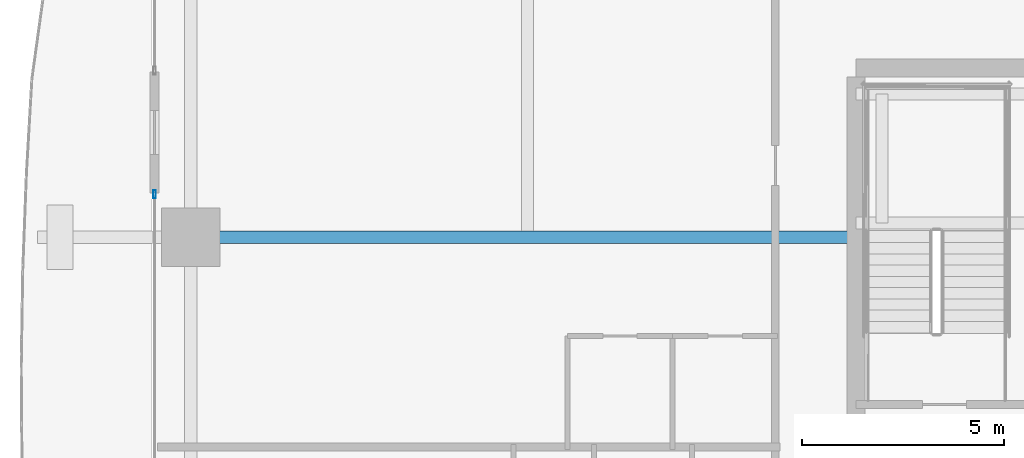
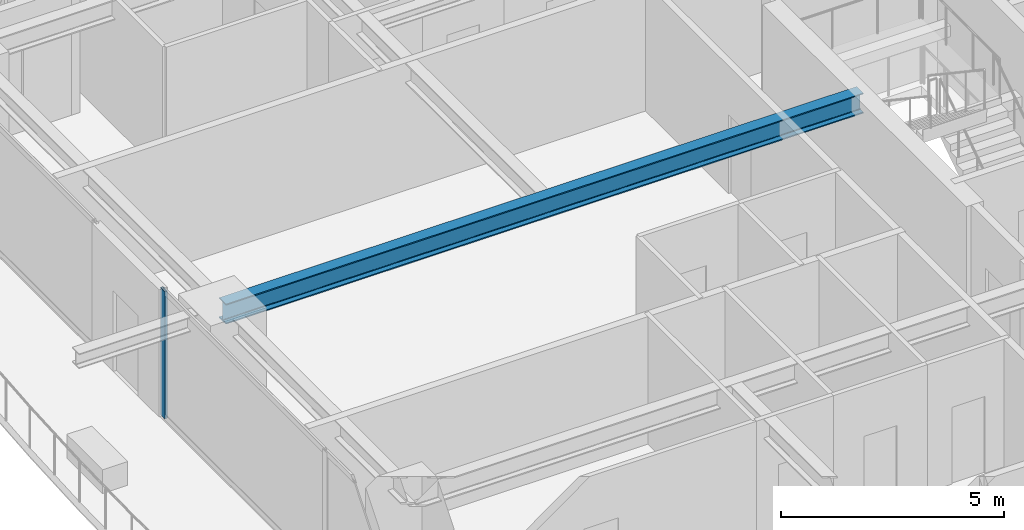
# One storey, part 8 of 35: 1 beam, 1 member, 1 element without a shape of its own.
"""IFC4 building model written with IfcOpenShell, lengths in metres."""

from ifc_helpers import new_model, si_unit, direction, frame, origin, origin_2d, place, context, subcontext, project, spatial, hollow_rectangle, i_section, extrude, source, transform, mapped, material, layer, layer_set, material_profile, profile_set, type_object, element, aggregate, save


model = new_model("IFC4")

# Units and contexts
model_context = context("Model", 3, precision=1e-05, world=origin(), true_north=direction((0.0, 1.0)))
body_context = subcontext(model_context, "Body", "Model", "MODEL_VIEW")
ifc_project = project(units=[si_unit("LENGTHUNIT", "METRE"), si_unit("AREAUNIT", "SQUARE_METRE"), si_unit("VOLUMEUNIT", "CUBIC_METRE"), si_unit("PLANEANGLEUNIT", "RADIAN"), si_unit("MASSUNIT", "GRAM", prefix="KILO")], contexts=[model_context])

# Site, building, storey
site_placement = place(None, origin())
site = spatial("IfcSite", under=ifc_project, at=site_placement, CompositionType="ELEMENT")
building_placement = place(site_placement, origin())
building = spatial("IfcBuilding", under=site, at=building_placement, Name="Serunith Strait Residences", CompositionType="ELEMENT")
storey_placement = place(building_placement, frame((0.0, 0.0, 71.699951171875)))
storey = spatial("IfcBuildingStorey", under=building, at=storey_placement, Name="L17", CompositionType="ELEMENT", Elevation=71.699951171875)

# Beam
ifc_material_1 = material(Name="Steel S355J2", Category="steel")
ifc_material_profile_1 = material_profile(ifc_material_1, i_section(OverallWidth=0.300048828125, OverallDepth=0.550048828125, WebThickness=0.014892578125, FlangeThickness=0.029052734375, FilletRadius=0.027099609375, at=origin_2d()), Name="HEB 550")
ifc_profile_set_1 = profile_set([ifc_material_profile_1], Name="Steel S355J2")
beam_type = type_object("IfcBeamType", Name="BM-HEB550", PredefinedType="BEAM", material=ifc_profile_set_1)
shared_shape_1 = source(origin(), body_context, "Body", "SweptSolid", [
    extrude(i_section(OverallWidth=0.300048828125, OverallDepth=0.550048828125, WebThickness=0.014892578125, FlangeThickness=0.029052734375, FilletRadius=0.027099609375, at=origin_2d()), origin(), (0.0, 0.0, 1.0), 16.5),
])
beam_placement = place(storey_placement, frame((23.39990234375, 29.39990234375, 3.212158203125), z_axis=(-1.0, 0.0, 0.0), x_axis=(0.0, -1.0, 0.0)))
element("IfcBeam", 1, at=beam_placement, inside=storey, type_object=beam_type, Name="L17 Primary Floor Girder TC-W3", PredefinedType="BEAM", context=body_context, shape_type="MappedRepresentation", body=[
    mapped(shared_shape_1, transform((0.0, 0.0, 0.0), scale=1.0)),
])

# Curtain wall, member
ifc_material_2 = material(Name="Pale-Champagne Anodised Aluminium", Category="aluminium")
ifc_layer = layer(ifc_material_2, 0.199951171875, Name="Pale-Champagne Anodised Aluminium")
ifc_layer_set = layer_set([ifc_layer], Name="Pale-Champagne Anodised Aluminium")
curtain_wall_type = type_object("IfcCurtainWallType", Name="CW-SYS1", PredefinedType="NOTDEFINED", material=ifc_layer_set)
curtain_wall_placement = place(storey_placement, origin())
curtain_wall = element("IfcCurtainWall", 2, at=curtain_wall_placement, inside=storey, type_object=curtain_wall_type, Name="L17 W Unitised Fritted Curtain Wall", PredefinedType="NOTDEFINED")
ifc_material_profile_2 = material_profile(ifc_material_2, hollow_rectangle(XDim=0.070068359375, YDim=0.199951171875, WallThickness=0.00390625, InnerFilletRadius=0.006103515625, OuterFilletRadius=0.010009765625, at=origin_2d()), Name="ALU 200x70x4")
ifc_profile_set_2 = profile_set([ifc_material_profile_2], Name="Pale-Champagne Anodised Aluminium")
member_type = type_object("IfcMemberType", Name="CW-SYS1-MULL", PredefinedType="MULLION", material=ifc_profile_set_2)
shared_shape_2 = source(origin(), body_context, "Body", "SweptSolid", [
    extrude(hollow_rectangle(XDim=0.070068359375, YDim=0.199951171875, WallThickness=0.00390625, InnerFilletRadius=0.006103515625, OuterFilletRadius=0.010009765625, at=origin_2d()), origin(), (0.0, 0.0, 1.0), 3.47509765625),
])
member_placement = place(storey_placement, frame((6.0, 30.465087890625, 0.0), z_axis=(0.0, 0.0, 1.0), x_axis=(1.0, 0.0, 0.0)))
member = element("IfcMember", 3, at=member_placement, type_object=member_type, Name="CW-1 mullion 1", PredefinedType="MULLION", context=body_context, shape_type="MappedRepresentation", body=[
    mapped(shared_shape_2, transform((0.0, 0.0, 0.0), scale=1.0)),
])
aggregate(curtain_wall, [member])

save(model, "model.ifc")
